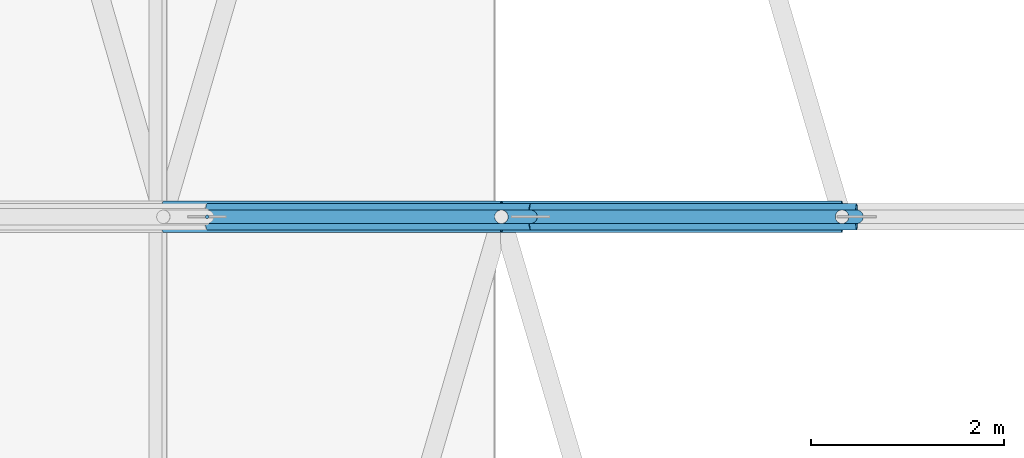
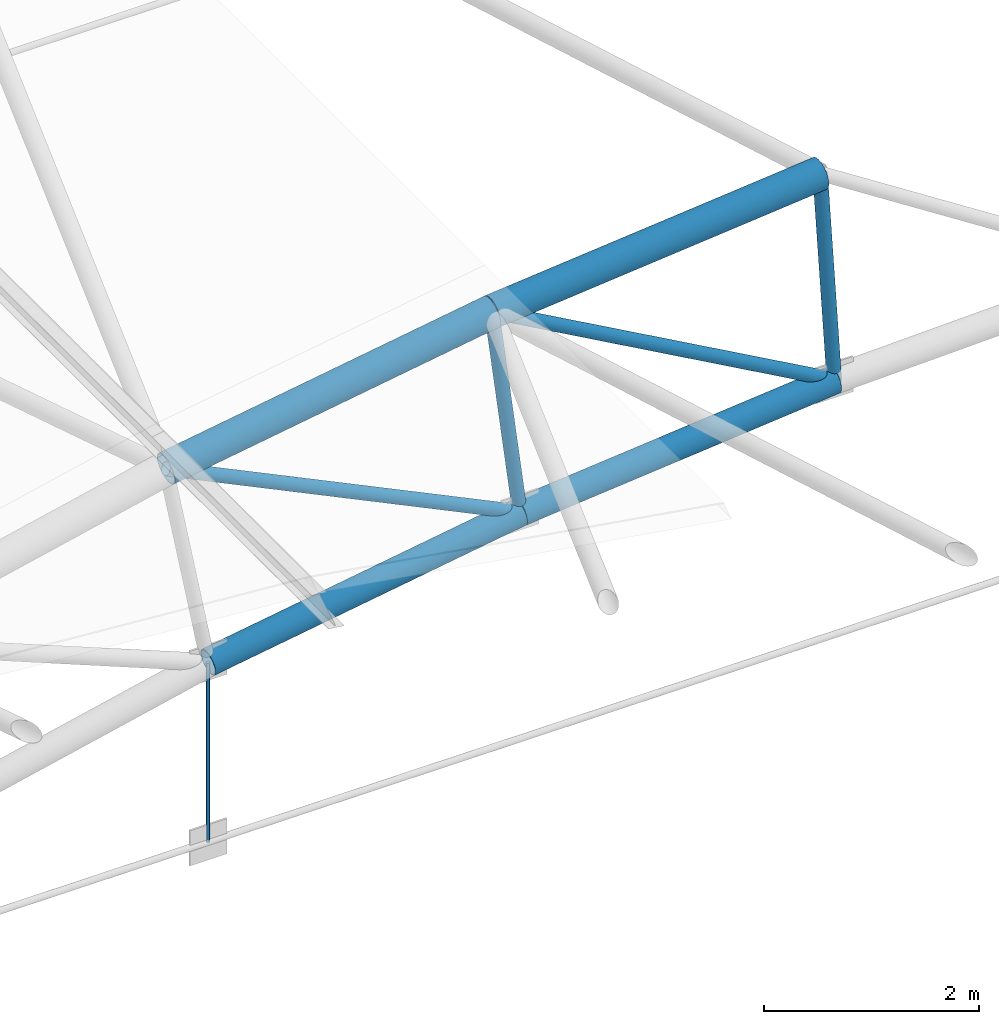
# One storey, part 117 of 321: 9 members.
"""IFC4 building model written with IfcOpenShell, lengths in metres."""

from ifc_helpers import new_model, si_unit, direction, frame, origin, origin_2d, place, context, subcontext, project, spatial, circle, hollow_circle, extrude, material, material_profile, profile_set, type_object, element, save


model = new_model("IFC4")

# Units and contexts
model_context = context("Model", 3, precision=1e-05, world=origin(), true_north=direction((0.0, 1.0)))
body_context = subcontext(model_context, "Body", "Model", "MODEL_VIEW")
ifc_project = project(units=[si_unit("LENGTHUNIT", "METRE"), si_unit("AREAUNIT", "SQUARE_METRE"), si_unit("VOLUMEUNIT", "CUBIC_METRE"), si_unit("PLANEANGLEUNIT", "RADIAN"), si_unit("MASSUNIT", "GRAM", prefix="KILO")], contexts=[model_context])

# Site, building, storey
site_placement = place(None, origin())
site = spatial("IfcSite", under=ifc_project, at=site_placement, CompositionType="ELEMENT")
building_placement = place(site_placement, origin())
building = spatial("IfcBuilding", under=site, at=building_placement, Name="Ravi Spectrum Wholesale Market", CompositionType="ELEMENT")
storey_placement = place(building_placement, frame((0.0, 0.0, 10.800048828125)))
storey = spatial("IfcBuildingStorey", under=building, at=storey_placement, Name="L02", CompositionType="ELEMENT", Elevation=10.800048828125)

# Members
ifc_material_1 = material(Name="Steel S355", Category="steel")
ifc_material_profile_1 = material_profile(ifc_material_1, hollow_circle(Radius=0.06982421875, WallThickness=0.0048828125, at=origin_2d()))
ifc_profile_set_1 = profile_set([ifc_material_profile_1], Name="Steel S355")
member_type_1 = type_object("IfcMemberType", Name="CHS 139.7x5 brace", PredefinedType="BRACE", material=ifc_profile_set_1)
for number, where, z_axis, x_axis, name in (
    (1, (163.434326171875, 90.0, 4.394775390625), (0.901638699511, 0.0, -0.432490064098), (0.0, 1.0, 0.0), "H2-MB-L02-101"),
    (2, (166.9326171875, 90.0, 4.952392578125), (0.872529716562, 0.0, -0.488561044001), (0.0, 1.0, 0.0), "H2-MB-L02-102"),
):
    element("IfcMember", number, at=place(storey_placement, frame(where, z_axis=z_axis, x_axis=x_axis)), inside=storey, type_object=member_type_1, Name=name, PredefinedType="BRACE", context=body_context, shape_type="SweptSolid", body=[
        extrude(hollow_circle(Radius=0.06982421875, WallThickness=0.0048828125, at=origin_2d()), origin(), (0.0, 0.0, 1.0), 4.215576171875),
    ])
ifc_material_2 = material(Name="Steel S355", Category="steel")
ifc_material_profile_2 = material_profile(ifc_material_2, hollow_circle(Radius=0.06982421875, WallThickness=0.0048828125, at=origin_2d()))
ifc_profile_set_2 = profile_set([ifc_material_profile_2], Name="Steel S355")
member_type_2 = type_object("IfcMemberType", Name="CHS 139.7x5 post", PredefinedType="POST", material=ifc_profile_set_2)
for number, where, z_axis, x_axis, name in (
    (3, (166.9326171875, 90.0, 4.952392578125), (0.126137795856, 0.0, -0.992012729987), (0.0, 1.0, 0.0), "H2-MB-L02-089"),
    (4, (170.459228515625, 90.0, 5.2880859375), (0.06316988397, 0.0, -0.998002788453), (0.0, 1.0, 0.0), "H2-MB-L02-090"),
):
    element("IfcMember", number, at=place(storey_placement, frame(where, z_axis=z_axis, x_axis=x_axis)), inside=storey, type_object=member_type_2, Name=name, PredefinedType="POST", context=body_context, shape_type="SweptSolid", body=[
        extrude(hollow_circle(Radius=0.06982421875, WallThickness=0.0048828125, at=origin_2d()), origin(), (0.0, 0.0, 1.0), 2.400146484375),
    ])
ifc_material_3 = material(Name="Steel S355", Category="steel")
ifc_material_profile_3 = material_profile(ifc_material_3, hollow_circle(Radius=0.136474609375, WallThickness=0.010009765625, at=origin_2d()))
ifc_profile_set_3 = profile_set([ifc_material_profile_3], Name="Steel S355")
member_type_3 = type_object("IfcMemberType", Name="CHS 273x10 chord", PredefinedType="CHORD", material=ifc_profile_set_3)
member_1_placement = place(storey_placement, frame((163.88671875, 90.0, 2.037841796875), z_axis=(0.98753659733, 0.0, 0.157389545185), x_axis=(0.0, 1.0, 0.0)))
element("IfcMember", 5, at=member_1_placement, inside=storey, type_object=member_type_3, Name="H2-MB-L02-075", PredefinedType="CHORD", context=body_context, shape_type="SweptSolid", body=[
    extrude(hollow_circle(Radius=0.136474609375, WallThickness=0.010009765625, at=origin_2d()), origin(), (0.0, 0.0, 1.0), 3.390869140625),
])
member_2_placement = place(storey_placement, frame((167.2353515625, 90.0, 2.571533203125), z_axis=(0.995500648787, 0.0, 0.094754726877), x_axis=(0.0, 1.0, 0.0)))
element("IfcMember", 6, at=member_2_placement, inside=storey, type_object=member_type_3, Name="H2-MB-L02-076", PredefinedType="CHORD", context=body_context, shape_type="SweptSolid", body=[
    extrude(hollow_circle(Radius=0.136474609375, WallThickness=0.010009765625, at=origin_2d()), origin(), (0.0, 0.0, 1.0), 3.390625),
])
ifc_material_4 = material(Name="Steel S355", Category="steel")
ifc_material_profile_4 = material_profile(ifc_material_4, hollow_circle(Radius=0.161865234375, WallThickness=0.010009765625, at=origin_2d()))
ifc_profile_set_4 = profile_set([ifc_material_profile_4], Name="Steel S355")
member_type_4 = type_object("IfcMemberType", Name="CHS 323.9x10 chord", PredefinedType="CHORD", material=ifc_profile_set_4)
for number, where, z_axis, x_axis, name in (
    (7, (163.434326171875, 90.0, 4.394775390625), (0.987533356072, 0.0, 0.157409881029), (0.0, 1.0, 0.0), "H2-MB-L02-061"),
    (8, (166.9326171875, 90.0, 4.952392578125), (0.995500117461, 0.0, 0.094760308862), (0.0, 1.0, 0.0), "H2-MB-L02-062"),
):
    element("IfcMember", number, at=place(storey_placement, frame(where, z_axis=z_axis, x_axis=x_axis)), inside=storey, type_object=member_type_4, Name=name, PredefinedType="CHORD", context=body_context, shape_type="SweptSolid", body=[
        extrude(hollow_circle(Radius=0.161865234375, WallThickness=0.010009765625, at=origin_2d()), origin(), (0.0, 0.0, 1.0), 3.54248046875),
    ])
ifc_material_5 = material(Name="Steel S355", Category="steel")
ifc_material_profile_5 = material_profile(ifc_material_5, circle(Radius=0.01806640625, at=origin_2d()))
ifc_profile_set_5 = profile_set([ifc_material_profile_5], Name="Steel S355")
member_type_5 = type_object("IfcMemberType", Name="ROD 36 hanger", PredefinedType="STRUT", material=ifc_profile_set_5)
member_3_placement = place(storey_placement, frame((163.88671875, 90.0, 0.0), z_axis=(0.0, 0.0, 1.0), x_axis=(1.0, 0.0, 0.0)))
element("IfcMember", 9, at=member_3_placement, inside=storey, type_object=member_type_5, Name="H2-MB-L02-111", PredefinedType="STRUT", context=body_context, shape_type="SweptSolid", body=[
    extrude(circle(Radius=0.01806640625, at=origin_2d()), origin(), (0.0, 0.0, 1.0), 2.037841796875),
])

save(model, "model.ifc")
